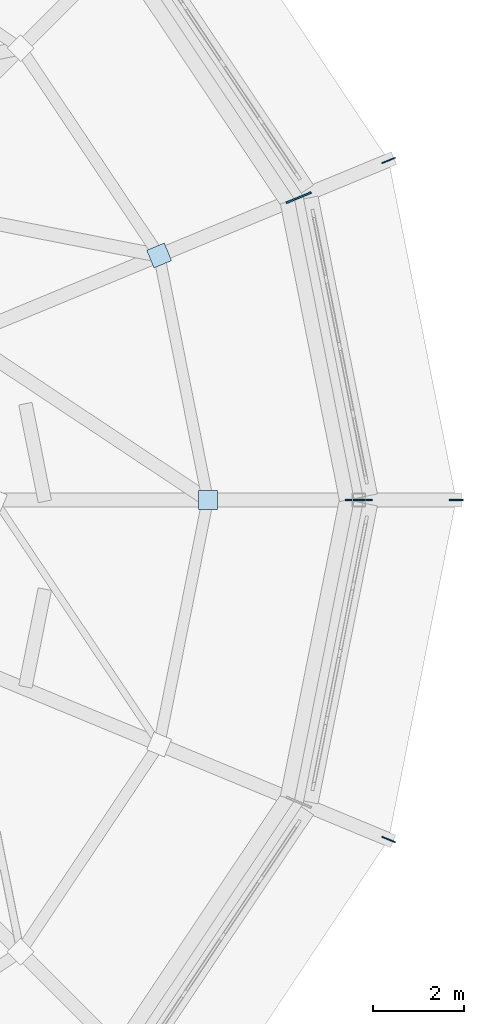
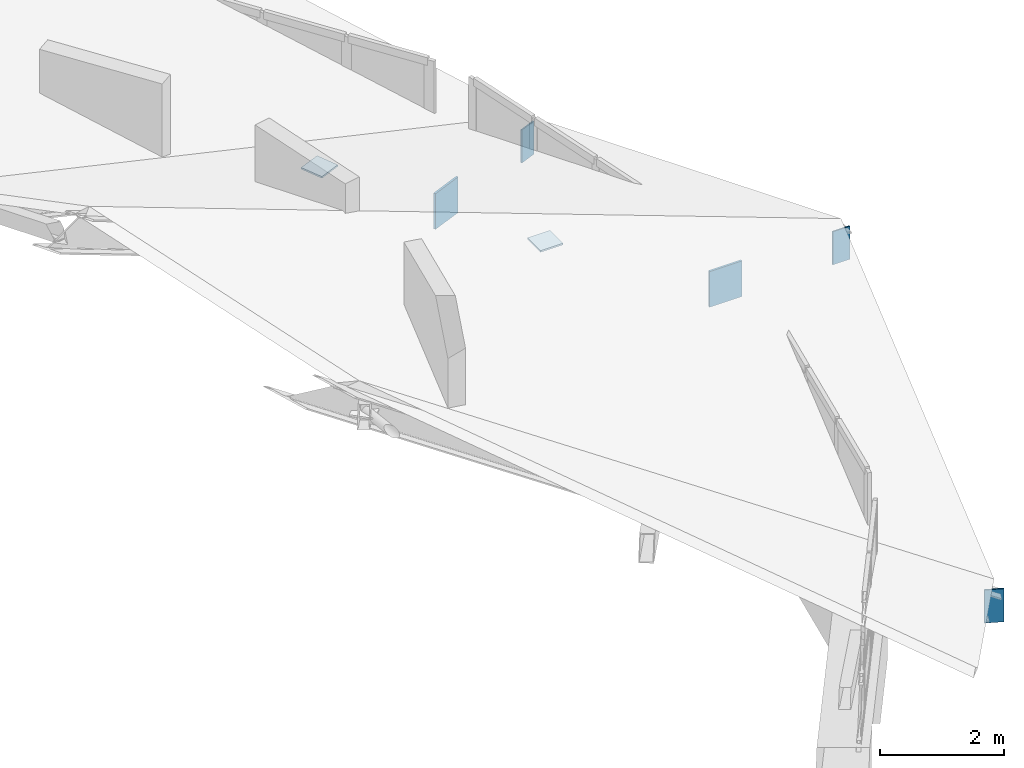
# One storey, part 16 of 18: 7 plates.
"""IFC4 building model written with IfcOpenShell, lengths in metres."""

from ifc_helpers import new_model, si_unit, direction, frame, origin, origin_2d, place, context, subcontext, project, spatial, rectangle, extrude, material, layer, layer_set, type_object, element, save


model = new_model("IFC4")

# Units and contexts
model_context = context("Model", 3, precision=1e-05, world=origin(), true_north=direction((0.0, 1.0)))
body_context = subcontext(model_context, "Body", "Model", "MODEL_VIEW")
ifc_project = project(units=[si_unit("LENGTHUNIT", "METRE"), si_unit("AREAUNIT", "SQUARE_METRE"), si_unit("VOLUMEUNIT", "CUBIC_METRE"), si_unit("PLANEANGLEUNIT", "RADIAN"), si_unit("MASSUNIT", "GRAM", prefix="KILO")], contexts=[model_context])

# Site, building, storey
site_placement = place(None, origin())
site = spatial("IfcSite", under=ifc_project, at=site_placement, CompositionType="ELEMENT")
building_placement = place(site_placement, origin())
building = spatial("IfcBuilding", under=site, at=building_placement, Name="Soyqirgoq Riverine Aquarium", CompositionType="ELEMENT")
storey_placement = place(building_placement, frame((0.0, 0.0, 29.39990234375)))
storey = spatial("IfcBuildingStorey", under=building, at=storey_placement, Name="RF", CompositionType="ELEMENT", Elevation=29.39990234375)

# Plates
ifc_material_1 = material(Name="Structural steel S355", Category="steel")
ifc_layer_1 = layer(ifc_material_1, 0.031982421875)
ifc_layer_set_1 = layer_set([ifc_layer_1], Name="Structural steel S355")
plate_type_1 = type_object("IfcPlateType", Name="NodeGussetPlate_32_S355", PredefinedType="SHEET", material=ifc_layer_set_1)
for number, where, z_axis, x_axis, name in (
    (1, (70.112060546875, 57.0, 3.4599609375), (0.0, 0.0, 1.0), (1.0, 0.0, 0.0), "V1 Radial Truss Brace End Gusset Plate 085"),
    (2, (69.037841796875, 62.400390625, 2.02001953125), (0.0, 0.0, 1.0), (0.923879532511, 0.382683432365, 0.0), "V1 Radial Truss Brace End Gusset Plate 087"),
):
    element("IfcPlate", number, at=place(storey_placement, frame(where, z_axis=z_axis, x_axis=x_axis)), inside=storey, type_object=plate_type_1, Name=name, PredefinedType="SHEET", context=body_context, shape_type="SweptSolid", body=[
        extrude(rectangle(XDim=0.419921875, YDim=0.419921875, at=origin_2d()), origin(), (0.0, 0.0, 1.0), 0.031982421875),
    ])
ifc_material_2 = material(Name="Structural steel S355", Category="steel")
ifc_layer_2 = layer(ifc_material_2, 0.0400390625)
ifc_layer_set_2 = layer_set([ifc_layer_2], Name="Structural steel S355")
plate_type_2 = type_object("IfcPlateType", Name="NodeGussetPlate_40_S355", PredefinedType="SHEET", material=ifc_layer_set_2)
for number, where, z_axis, x_axis, name in (
    (3, (73.449951171875, 57.0, 1.1298828125), (0.0, 0.0, 1.0), (1.0, 0.0, 0.0), "V1 Folded-Plate Ring Node Gusset 054"),
    (4, (72.12158203125, 63.677734375, -0.8701171875), (0.0, 0.0, 1.0), (0.923879532511, 0.382683432365, 0.0), "V1 Folded-Plate Ring Node Gusset 056"),
):
    element("IfcPlate", number, at=place(storey_placement, frame(where, z_axis=z_axis, x_axis=x_axis)), inside=storey, type_object=plate_type_2, Name=name, PredefinedType="SHEET", context=body_context, shape_type="SweptSolid", body=[
        extrude(rectangle(XDim=0.60009765625, YDim=0.0400390625, at=origin_2d()), origin(), (0.0, 0.0, 1.0), 0.699951171875),
    ])
ifc_material_3 = material(Name="Structural steel S355", Category="steel")
ifc_layer_3 = layer(ifc_material_3, 0.02197265625)
ifc_layer_set_3 = layer_set([ifc_layer_3], Name="Structural steel S355")
plate_type_3 = type_object("IfcPlateType", Name="TubeCapPlate_22_S355", PredefinedType="USERDEFINED", material=ifc_layer_set_3)
plate_placement = place(storey_placement, frame((74.10791015625, 64.50048828125, -0.844970703125), z_axis=(0.0, 0.0, 1.0), x_axis=(0.923879532511, 0.382683432365, 0.0)))
element("IfcPlate", 5, at=plate_placement, inside=storey, type_object=plate_type_3, Name="V1 Folded-Plate Eave Rib Cap Plate 055", ObjectType="FLANGE_PLATE", PredefinedType="USERDEFINED", context=body_context, shape_type="SweptSolid", body=[
    extrude(rectangle(XDim=0.320068359375, YDim=0.02197265625, at=origin_2d()), origin(), (0.0, 0.0, 1.0), 0.64990234375),
])
ifc_material_4 = material(Name="Structural steel S355", Category="steel")
ifc_layer_4 = layer(ifc_material_4, 0.02490234375)
ifc_layer_set_4 = layer_set([ifc_layer_4], Name="Structural steel S355")
plate_type_4 = type_object("IfcPlateType", Name="TubeCapPlate_25_S355", PredefinedType="USERDEFINED", material=ifc_layer_set_4)
for number, where, z_axis, x_axis, name in (
    (6, (75.60009765625, 57.0, 1.155029296875), (0.0, 0.0, 1.0), (1.0, 0.0, 0.0), "V1 Folded-Plate Eave Rib Cap Plate 053"),
    (7, (74.10791015625, 49.49951171875, -0.844970703125), (0.0, 0.0, 1.0), (0.923879532511, -0.382683432365, 0.0), "V1 Folded-Plate Eave Rib Cap Plate 083"),
):
    element("IfcPlate", number, at=place(storey_placement, frame(where, z_axis=z_axis, x_axis=x_axis)), inside=storey, type_object=plate_type_4, Name=name, ObjectType="FLANGE_PLATE", PredefinedType="USERDEFINED", context=body_context, shape_type="SweptSolid", body=[
        extrude(rectangle(XDim=0.320068359375, YDim=0.02490234375, at=origin_2d()), origin(), (0.0, 0.0, 1.0), 0.64990234375),
    ])

save(model, "model.ifc")
